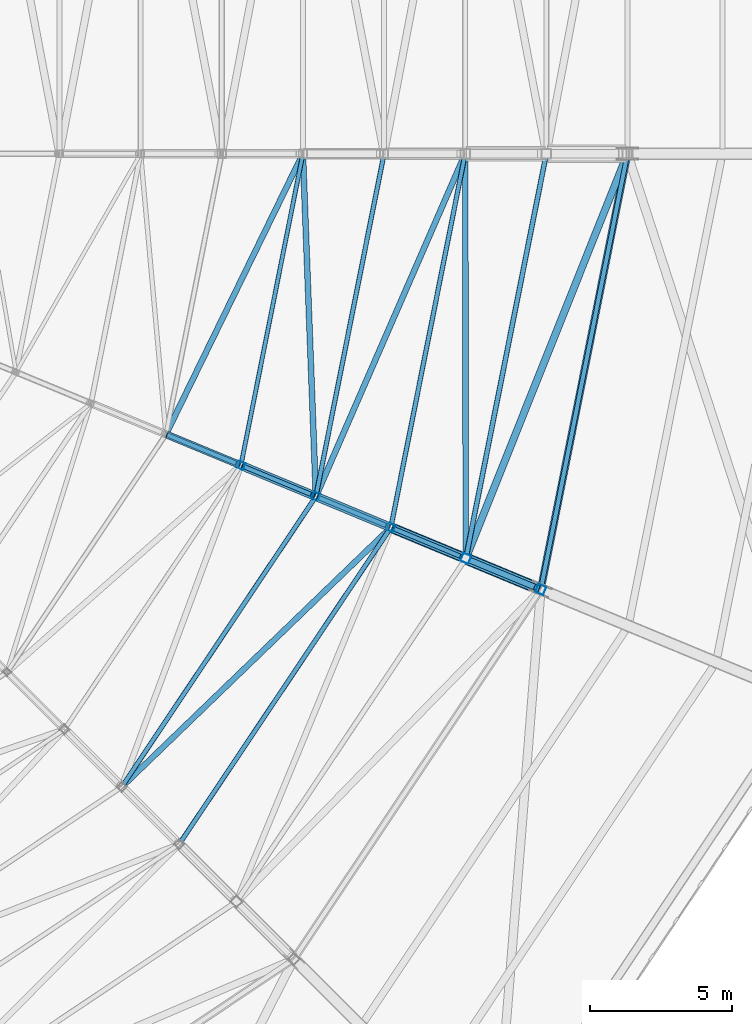
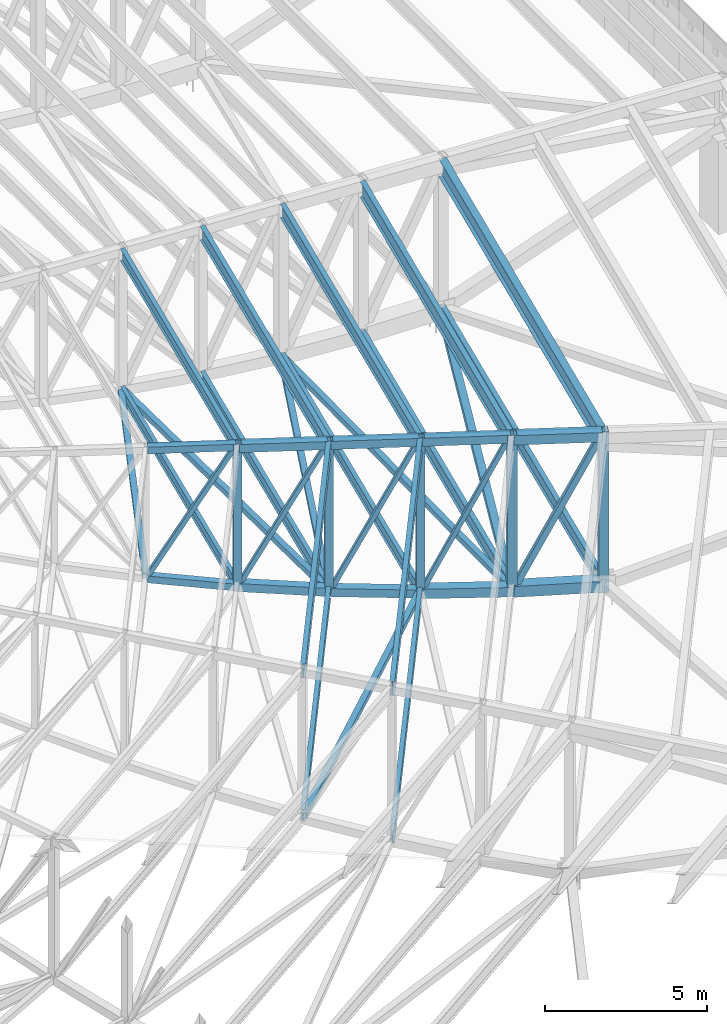
# One storey, part 49 of 278: 25 members, 15 beams.
"""IFC4 building model written with IfcOpenShell, lengths in metres."""

from ifc_helpers import new_model, si_unit, direction, frame, origin, origin_2d, place, context, subcontext, project, spatial, hollow_rectangle, i_section, extrude, material, material_profile, profile_set, type_object, element, save


model = new_model("IFC4")

# Units and contexts
model_context = context("Model", 3, precision=1e-05, world=origin(), true_north=direction((0.0, 1.0)))
body_context = subcontext(model_context, "Body", "Model", "MODEL_VIEW")
ifc_project = project(units=[si_unit("LENGTHUNIT", "METRE"), si_unit("AREAUNIT", "SQUARE_METRE"), si_unit("VOLUMEUNIT", "CUBIC_METRE"), si_unit("PLANEANGLEUNIT", "RADIAN"), si_unit("MASSUNIT", "GRAM", prefix="KILO")], contexts=[model_context])

# Site, building, storey
site_placement = place(None, origin())
site = spatial("IfcSite", under=ifc_project, at=site_placement, CompositionType="ELEMENT")
building_placement = place(site_placement, origin())
building = spatial("IfcBuilding", under=site, at=building_placement, Name="Ogive Plaza Stadium", CompositionType="ELEMENT")
storey_placement = place(building_placement, frame((0.0, 0.0, 29.0)))
storey = spatial("IfcBuildingStorey", under=building, at=storey_placement, Name="Roof", CompositionType="ELEMENT", Elevation=29.0)

# Members
ifc_material_1 = material(Name="Steel ASTM A500 Grade C", Category="steel")
ifc_material_profile_1 = material_profile(ifc_material_1, hollow_rectangle(XDim=0.25390625, YDim=0.25390625, WallThickness=0.0087890625, at=origin_2d()), Name="HSS10X10X3/8")
ifc_profile_set_1 = profile_set([ifc_material_profile_1], Name="Steel ASTM A500 Grade C")
member_type_1 = type_object("IfcMemberType", Name="Roof plan brace HSS10X10X3/8", PredefinedType="BRACE", material=ifc_profile_set_1)
member_1_placement = place(storey_placement, frame((68.3681640625, -66.6015625, 0.266845703125), z_axis=(0.370892564775, 0.92866632558, -0.004190600068), x_axis=(-0.928674479902, 0.370895821464, 0.0)))
element("IfcMember", 1, at=member_1_placement, inside=storey, type_object=member_type_1, Name="ROOF BRACE B08 10", PredefinedType="BRACE", context=body_context, shape_type="SweptSolid", body=[
    extrude(hollow_rectangle(XDim=0.25390625, YDim=0.25390625, WallThickness=0.0087890625, at=origin_2d()), origin(), (0.0, 0.0, 1.0), 14.97265625),
])
ifc_material_2 = material(Name="Steel ASTM A500 Grade C", Category="steel")
ifc_material_profile_2 = material_profile(ifc_material_2, hollow_rectangle(XDim=0.203125, YDim=0.203125, WallThickness=0.0087890625, at=origin_2d()), Name="HSS8X8X3/8")
ifc_profile_set_2 = profile_set([ifc_material_profile_2], Name="Steel ASTM A500 Grade C")
member_type_2 = type_object("IfcMemberType", Name="Roof plan brace HSS8X8X3/8", PredefinedType="BRACE", material=ifc_profile_set_2)
member_2_placement = place(storey_placement, frame((57.82421875, -62.283935546875, 1.729248046875), z_axis=(0.438102005766, 0.89751424852, -0.050346859366), x_axis=(-0.89865392799, 0.438658315443, 0.0)))
element("IfcMember", 2, at=member_2_placement, inside=storey, type_object=member_type_2, Name="ROOF BRACE B08 6", PredefinedType="BRACE", context=body_context, shape_type="SweptSolid", body=[
    extrude(hollow_rectangle(XDim=0.203125, YDim=0.203125, WallThickness=0.0087890625, at=origin_2d()), origin(), (0.0, 0.0, 1.0), 10.7119140625),
])
member_3_placement = place(storey_placement, frame((62.604736328125, -52.626220703125, 1.17578125), z_axis=(0.037835948464, -0.998586929303, -0.037317363644), x_axis=(0.999282965258, 0.03786232091, 0.0)))
element("IfcMember", 3, at=member_3_placement, inside=storey, type_object=member_type_2, Name="ROOF BRACE B08 7", PredefinedType="BRACE", context=body_context, shape_type="SweptSolid", body=[
    extrude(hollow_rectangle(XDim=0.203125, YDim=0.203125, WallThickness=0.0087890625, at=origin_2d()), origin(), (0.0, 0.0, 1.0), 11.76953125),
])
member_4_placement = place(storey_placement, frame((63.095458984375, -64.44482421875, 0.728515625), z_axis=(0.399342381412, 0.916524746659, -0.022539990446), x_axis=(-0.916757656145, 0.399443863264, 0.0)))
element("IfcMember", 4, at=member_4_placement, inside=storey, type_object=member_type_2, Name="ROOF BRACE B08 8", PredefinedType="BRACE", context=body_context, shape_type="SweptSolid", body=[
    extrude(hollow_rectangle(XDim=0.203125, YDim=0.203125, WallThickness=0.0087890625, at=origin_2d()), origin(), (0.0, 0.0, 1.0), 12.824462890625),
])
member_5_placement = place(storey_placement, frame((68.30029296875, -52.64794921875, 0.43310546875), z_axis=(0.001546491055, -0.999929483207, -0.01177442053), x_axis=(0.999998804016, 0.001546598266, 0.0)))
element("IfcMember", 5, at=member_5_placement, inside=storey, type_object=member_type_2, Name="ROOF BRACE B08 9", PredefinedType="BRACE", context=body_context, shape_type="SweptSolid", body=[
    extrude(hollow_rectangle(XDim=0.203125, YDim=0.203125, WallThickness=0.0087890625, at=origin_2d()), origin(), (0.0, 0.0, 1.0), 13.892333984375),
])
member_6_placement = place(storey_placement, frame((56.3095703125, -74.669921875, 0.728515625), z_axis=(0.719689863912, 0.693929788979, -0.02253769617), x_axis=(-0.694106096185, 0.719872715998, 0.0)))
element("IfcMember", 6, at=member_6_placement, inside=storey, type_object=member_type_2, Name="ROOF BRACE B09 8", PredefinedType="BRACE", context=body_context, shape_type="SweptSolid", body=[
    extrude(hollow_rectangle(XDim=0.203125, YDim=0.203125, WallThickness=0.0087890625, at=origin_2d()), origin(), (0.0, 0.0, 1.0), 12.8798828125),
])
ifc_material_3 = material(Name="Steel ASTM A992 Grade 50", Category="steel")
ifc_material_profile_3 = material_profile(ifc_material_3, i_section(OverallWidth=0.140380859375, OverallDepth=0.4033203125, WebThickness=0.007080078125, FlangeThickness=0.01123046875, at=origin_2d()), Name="W16X31")
ifc_profile_set_3 = profile_set([ifc_material_profile_3], Name="Steel ASTM A992 Grade 50")
member_type_3 = type_object("IfcMemberType", Name="Roof plan strut W16X31", PredefinedType="STRUT", material=ifc_profile_set_3)
member_7_placement = place(storey_placement, frame((62.57275390625, -52.63671875, 1.180419921875), z_axis=(-0.195087168164, -0.980785907738, 0.0), x_axis=(0.980785907738, -0.195087168164, 0.0)))
element("IfcMember", 7, at=member_7_placement, inside=storey, type_object=member_type_3, Name="ROOF STRUT B08 6", PredefinedType="STRUT", context=body_context, shape_type="SweptSolid", body=[
    extrude(i_section(OverallWidth=0.140380859375, OverallDepth=0.4033203125, WebThickness=0.007080078125, FlangeThickness=0.01123046875, at=origin_2d()), origin(), (0.0, 0.0, 1.0), 10.90625),
])
ifc_material_4 = material(Name="Steel ASTM A992 Grade 50", Category="steel")
ifc_material_profile_4 = material_profile(ifc_material_4, i_section(OverallWidth=0.15234375, OverallDepth=0.449462890625, WebThickness=0.007568359375, FlangeThickness=0.0107421875, at=origin_2d()), Name="W18X35")
ifc_profile_set_4 = profile_set([ifc_material_profile_4], Name="Steel ASTM A992 Grade 50")
member_type_4 = type_object("IfcMemberType", Name="Roof plan strut W18X35", PredefinedType="STRUT", material=ifc_profile_set_4)
member_8_placement = place(storey_placement, frame((65.422607421875, -52.637939453125, 0.730712890625), z_axis=(-0.195096207281, -0.980784109733, 0.0), x_axis=(0.980784109733, -0.195096207281, 0.0)))
element("IfcMember", 8, at=member_8_placement, inside=storey, type_object=member_type_4, Name="ROOF STRUT B08 7", PredefinedType="STRUT", context=body_context, shape_type="SweptSolid", body=[
    extrude(i_section(OverallWidth=0.15234375, OverallDepth=0.449462890625, WebThickness=0.007568359375, FlangeThickness=0.0107421875, at=origin_2d()), origin(), (0.0, 0.0, 1.0), 12.015869140625),
])
member_9_placement = place(storey_placement, frame((68.267578125, -52.663330078125, 0.434814453125), z_axis=(-0.195094759096, -0.980784397803, 0.0), x_axis=(0.980784397803, -0.195094759096, 0.0)))
element("IfcMember", 9, at=member_9_placement, inside=storey, type_object=member_type_4, Name="ROOF STRUT B08 8", PredefinedType="STRUT", context=body_context, shape_type="SweptSolid", body=[
    extrude(i_section(OverallWidth=0.15234375, OverallDepth=0.449462890625, WebThickness=0.007568359375, FlangeThickness=0.0107421875, at=origin_2d()), origin(), (0.0, 0.0, 1.0), 13.10205078125),
])
member_10_placement = place(storey_placement, frame((62.992431640625, -64.630615234375, 0.730712890625), z_axis=(-0.555574800687, -0.831466560266, 0.0), x_axis=(0.831466560266, -0.555574800687, 0.0)))
element("IfcMember", 10, at=member_10_placement, inside=storey, type_object=member_type_4, Name="ROOF STRUT B09 7", PredefinedType="STRUT", context=body_context, shape_type="SweptSolid", body=[
    extrude(i_section(OverallWidth=0.15234375, OverallDepth=0.449462890625, WebThickness=0.007568359375, FlangeThickness=0.0107421875, at=origin_2d()), origin(), (0.0, 0.0, 1.0), 12.0419921875),
])
member_11_placement = place(storey_placement, frame((65.62548828125, -65.721435546875, 0.434814453125), z_axis=(-0.555582209578, -0.831461609697, 0.0), x_axis=(0.831461609697, -0.555582209578, 0.0)))
element("IfcMember", 11, at=member_11_placement, inside=storey, type_object=member_type_4, Name="ROOF STRUT B09 8", PredefinedType="STRUT", context=body_context, shape_type="SweptSolid", body=[
    extrude(i_section(OverallWidth=0.15234375, OverallDepth=0.449462890625, WebThickness=0.007568359375, FlangeThickness=0.0107421875, at=origin_2d()), origin(), (0.0, 0.0, 1.0), 13.154052734375),
])
ifc_material_5 = material(Name="Steel ASTM A992 Grade 50", Category="steel")
ifc_material_profile_5 = material_profile(ifc_material_5, i_section(OverallWidth=0.1650390625, OverallDepth=0.524658203125, WebThickness=0.0087890625, FlangeThickness=0.011474609375, at=origin_2d()), Name="W21X44")
ifc_profile_set_5 = profile_set([ifc_material_profile_5], Name="Steel ASTM A992 Grade 50")
member_type_5 = type_object("IfcMemberType", Name="Roof plan strut W21X44", PredefinedType="STRUT", material=ifc_profile_set_5)
member_12_placement = place(storey_placement, frame((71.1171875, -52.66455078125, 0.267333984375), z_axis=(-0.195080090906, -0.980787315442, 0.0), x_axis=(0.980787315442, -0.195080090906, 0.0)))
element("IfcMember", 12, at=member_12_placement, inside=storey, type_object=member_type_5, Name="ROOF STRUT B08 9", PredefinedType="STRUT", context=body_context, shape_type="SweptSolid", body=[
    extrude(i_section(OverallWidth=0.1650390625, OverallDepth=0.524658203125, WebThickness=0.0087890625, FlangeThickness=0.011474609375, at=origin_2d()), origin(), (0.0, 0.0, 1.0), 14.185546875),
])
member_13_placement = place(storey_placement, frame((73.96728515625, -52.66455078125, 0.203125), z_axis=(-0.195087872799, -0.98078576758, 0.0), x_axis=(0.98078576758, -0.195087872799, 0.0)))
element("IfcMember", 13, at=member_13_placement, inside=storey, type_object=member_type_5, Name="ROOF STRUT B08 10", PredefinedType="STRUT", context=body_context, shape_type="SweptSolid", body=[
    extrude(i_section(OverallWidth=0.1650390625, OverallDepth=0.524658203125, WebThickness=0.0087890625, FlangeThickness=0.011474609375, at=origin_2d()), origin(), (0.0, 0.0, 1.0), 15.297607421875),
])
ifc_material_6 = material(Name="Steel ASTM A992 Grade 50", Category="steel")
ifc_material_profile_6 = material_profile(ifc_material_6, i_section(OverallWidth=0.15234375, OverallDepth=0.449462890625, WebThickness=0.007568359375, FlangeThickness=0.0107421875, at=origin_2d()), Name="W18X35")
ifc_profile_set_6 = profile_set([ifc_material_profile_6], Name="Steel ASTM A992 Grade 50")
member_type_6 = type_object("IfcMemberType", Name="Roof purlin W18X35", PredefinedType="PURLIN", material=ifc_profile_set_6)
member_14_placement = place(storey_placement, frame((62.572509765625, -52.637939453125, 6.34521484375), z_axis=(-0.195086933188, -0.980785954477, 0.0), x_axis=(0.980785954477, -0.195086933188, 0.0)))
element("IfcMember", 14, at=member_14_placement, inside=storey, type_object=member_type_6, Name="ROOF PURLIN B08 6", PredefinedType="PURLIN", context=body_context, shape_type="SweptSolid", body=[
    extrude(i_section(OverallWidth=0.15234375, OverallDepth=0.449462890625, WebThickness=0.007568359375, FlangeThickness=0.0107421875, at=origin_2d()), origin(), (0.0, 0.0, 1.0), 10.90380859375),
])
ifc_material_7 = material(Name="Steel ASTM A992 Grade 50", Category="steel")
ifc_material_profile_7 = material_profile(ifc_material_7, i_section(OverallWidth=0.1650390625, OverallDepth=0.524658203125, WebThickness=0.0087890625, FlangeThickness=0.011474609375, at=origin_2d()), Name="W21X44")
ifc_profile_set_7 = profile_set([ifc_material_profile_7], Name="Steel ASTM A992 Grade 50")
member_type_7 = type_object("IfcMemberType", Name="Roof purlin W21X44", PredefinedType="PURLIN", material=ifc_profile_set_7)
member_15_placement = place(storey_placement, frame((65.42236328125, -52.63916015625, 6.1650390625), z_axis=(-0.195095995879, -0.980784151785, 0.0), x_axis=(0.980784151785, -0.195095995879, 0.0)))
element("IfcMember", 15, at=member_15_placement, inside=storey, type_object=member_type_7, Name="ROOF PURLIN B08 7", PredefinedType="PURLIN", context=body_context, shape_type="SweptSolid", body=[
    extrude(i_section(OverallWidth=0.1650390625, OverallDepth=0.524658203125, WebThickness=0.0087890625, FlangeThickness=0.011474609375, at=origin_2d()), origin(), (0.0, 0.0, 1.0), 12.013427734375),
])
member_16_placement = place(storey_placement, frame((68.267333984375, -52.66455078125, 6.022705078125), z_axis=(-0.195094564949, -0.980784436422, 0.0), x_axis=(0.980784436422, -0.195094564949, 0.0)))
element("IfcMember", 16, at=member_16_placement, inside=storey, type_object=member_type_7, Name="ROOF PURLIN B08 8", PredefinedType="PURLIN", context=body_context, shape_type="SweptSolid", body=[
    extrude(i_section(OverallWidth=0.1650390625, OverallDepth=0.524658203125, WebThickness=0.0087890625, FlangeThickness=0.011474609375, at=origin_2d()), origin(), (0.0, 0.0, 1.0), 13.099609375),
])
member_17_placement = place(storey_placement, frame((62.99169921875, -64.6318359375, 6.1650390625), z_axis=(-0.555574992462, -0.831466432125, 0.0), x_axis=(0.831466432125, -0.555574992462, 0.0)))
element("IfcMember", 17, at=member_17_placement, inside=storey, type_object=member_type_7, Name="ROOF PURLIN B09 7", PredefinedType="PURLIN", context=body_context, shape_type="SweptSolid", body=[
    extrude(i_section(OverallWidth=0.1650390625, OverallDepth=0.524658203125, WebThickness=0.0087890625, FlangeThickness=0.011474609375, at=origin_2d()), origin(), (0.0, 0.0, 1.0), 12.039306640625),
])
member_18_placement = place(storey_placement, frame((65.624755859375, -65.722412109375, 6.022705078125), z_axis=(-0.555573811188, -0.831467221436, 0.0), x_axis=(0.831467221436, -0.555573811188, 0.0)))
element("IfcMember", 18, at=member_18_placement, inside=storey, type_object=member_type_7, Name="ROOF PURLIN B09 8", PredefinedType="PURLIN", context=body_context, shape_type="SweptSolid", body=[
    extrude(i_section(OverallWidth=0.1650390625, OverallDepth=0.524658203125, WebThickness=0.0087890625, FlangeThickness=0.011474609375, at=origin_2d()), origin(), (0.0, 0.0, 1.0), 13.151611328125),
])
ifc_material_8 = material(Name="Steel ASTM A992 Grade 50", Category="steel")
ifc_material_profile_8 = material_profile(ifc_material_8, i_section(OverallWidth=0.177978515625, OverallDepth=0.5986328125, WebThickness=0.010009765625, FlangeThickness=0.012939453125, at=origin_2d()), Name="W24X55")
ifc_profile_set_8 = profile_set([ifc_material_profile_8], Name="Steel ASTM A992 Grade 50")
member_type_8 = type_object("IfcMemberType", Name="Roof purlin W24X55", PredefinedType="PURLIN", material=ifc_profile_set_8)
member_19_placement = place(storey_placement, frame((71.116943359375, -52.665771484375, 5.84326171875), z_axis=(-0.195079909016, -0.98078735162, 0.0), x_axis=(0.98078735162, -0.195079909016, 0.0)))
element("IfcMember", 19, at=member_19_placement, inside=storey, type_object=member_type_8, Name="ROOF PURLIN B08 9", PredefinedType="PURLIN", context=body_context, shape_type="SweptSolid", body=[
    extrude(i_section(OverallWidth=0.177978515625, OverallDepth=0.5986328125, WebThickness=0.010009765625, FlangeThickness=0.012939453125, at=origin_2d()), origin(), (0.0, 0.0, 1.0), 14.18310546875),
])
ifc_material_9 = material(Name="Steel ASTM A992 Grade 50", Category="steel")
ifc_material_profile_9 = material_profile(ifc_material_9, i_section(OverallWidth=0.2529296875, OverallDepth=0.678466796875, WebThickness=0.01171875, FlangeThickness=0.016357421875, at=origin_2d()), Name="W27X84")
ifc_profile_set_9 = profile_set([ifc_material_profile_9], Name="Steel ASTM A992 Grade 50")
member_type_9 = type_object("IfcMemberType", Name="Roof purlin W27X84", PredefinedType="PURLIN", material=ifc_profile_set_9)
member_20_placement = place(storey_placement, frame((73.965576171875, -52.673095703125, 5.660888671875), z_axis=(-0.195086699859, -0.980786000888, 0.0), x_axis=(0.980786000888, -0.195086699859, 0.0)))
element("IfcMember", 20, at=member_20_placement, inside=storey, type_object=member_type_9, Name="ROOF PURLIN B08 10", PredefinedType="PURLIN", context=body_context, shape_type="SweptSolid", body=[
    extrude(i_section(OverallWidth=0.2529296875, OverallDepth=0.678466796875, WebThickness=0.01171875, FlangeThickness=0.016357421875, at=origin_2d()), origin(), (0.0, 0.0, 1.0), 15.2802734375),
])

# Beams
ifc_material_10 = material(Name="Steel ASTM A500 Grade C", Category="steel")
ifc_material_profile_10 = material_profile(ifc_material_10, hollow_rectangle(XDim=0.25390625, YDim=0.25390625, WallThickness=0.01171875, at=origin_2d()), Name="HSS10X10X1/2")
ifc_profile_set_10 = profile_set([ifc_material_profile_10], Name="Steel ASTM A500 Grade C")
beam_type_1 = type_object("IfcBeamType", Name="Roof truss bottom chord HSS10X10X1/2", PredefinedType="BEAM", material=ifc_profile_set_10)
beam_1_placement = place(storey_placement, frame((57.833251953125, -62.3720703125, 1.726318359375), z_axis=(0.905437709043, -0.375020513968, -0.198852128843), x_axis=(0.382662472935, 0.923888213913, 0.0)))
element("IfcBeam", 21, at=beam_1_placement, inside=storey, type_object=beam_type_1, Name="ROOF TRUSS T09 BOTTOM CHORD 6", PredefinedType="BEAM", context=body_context, shape_type="SweptSolid", body=[
    extrude(hollow_rectangle(XDim=0.25390625, YDim=0.25390625, WallThickness=0.01171875, at=origin_2d()), origin(), (0.0, 0.0, 1.0), 2.80908203125),
])
ifc_material_11 = material(Name="Steel ASTM A500 Grade C", Category="steel")
ifc_material_profile_11 = material_profile(ifc_material_11, hollow_rectangle(XDim=0.3046875, YDim=0.3046875, WallThickness=0.0146484375, at=origin_2d()), Name="HSS12X12X5/8")
ifc_profile_set_11 = profile_set([ifc_material_profile_11], Name="Steel ASTM A500 Grade C")
beam_type_2 = type_object("IfcBeamType", Name="Roof truss bottom chord HSS12X12X5/8", PredefinedType="BEAM", material=ifc_profile_set_11)
beam_2_placement = place(storey_placement, frame((60.46923828125, -63.4638671875, 1.17431640625), z_axis=(0.912570809119, -0.378060038258, -0.15583685641), x_axis=(0.382735997737, 0.923857757469, 0.0)))
element("IfcBeam", 22, at=beam_2_placement, inside=storey, type_object=beam_type_2, Name="ROOF TRUSS T09 BOTTOM CHORD 7", PredefinedType="BEAM", context=body_context, shape_type="SweptSolid", body=[
    extrude(hollow_rectangle(XDim=0.3046875, YDim=0.3046875, WallThickness=0.0146484375, at=origin_2d()), origin(), (0.0, 0.0, 1.0), 2.783935546875),
])
beam_3_placement = place(storey_placement, frame((63.102294921875, -64.554443359375, 0.72607421875), z_axis=(0.918040635639, -0.380326079208, -0.112042245557), x_axis=(0.382735997737, 0.923857757469, 0.0)))
element("IfcBeam", 23, at=beam_3_placement, inside=storey, type_object=beam_type_2, Name="ROOF TRUSS T09 BOTTOM CHORD 8", PredefinedType="BEAM", context=body_context, shape_type="SweptSolid", body=[
    extrude(hollow_rectangle(XDim=0.3046875, YDim=0.3046875, WallThickness=0.0146484375, at=origin_2d()), origin(), (0.0, 0.0, 1.0), 2.767333984375),
])
ifc_material_12 = material(Name="Steel ASTM A500 Grade C", Category="steel")
ifc_material_profile_12 = material_profile(ifc_material_12, hollow_rectangle(XDim=0.355712890625, YDim=0.355712890625, WallThickness=0.0146484375, at=origin_2d()), Name="HSS14X14X5/8")
ifc_profile_set_12 = profile_set([ifc_material_profile_12], Name="Steel ASTM A500 Grade C")
beam_type_3 = type_object("IfcBeamType", Name="Roof truss bottom chord HSS14X14X5/8", PredefinedType="BEAM", material=ifc_profile_set_12)
beam_4_placement = place(storey_placement, frame((65.7353515625, -65.645263671875, 0.431884765625), z_axis=(0.92178205255, -0.381787492455, -0.067499320012), x_axis=(0.382660217904, 0.923889147914, 0.0)))
element("IfcBeam", 24, at=beam_4_placement, inside=storey, type_object=beam_type_3, Name="ROOF TRUSS T09 BOTTOM CHORD 9", PredefinedType="BEAM", context=body_context, shape_type="SweptSolid", body=[
    extrude(hollow_rectangle(XDim=0.355712890625, YDim=0.355712890625, WallThickness=0.0146484375, at=origin_2d()), origin(), (0.0, 0.0, 1.0), 2.756103515625),
])
ifc_material_13 = material(Name="Steel ASTM A500 Grade C", Category="steel")
ifc_material_profile_13 = material_profile(ifc_material_13, hollow_rectangle(XDim=0.406494140625, YDim=0.406494140625, WallThickness=0.0146484375, at=origin_2d()), Name="HSS16X16X5/8")
ifc_profile_set_13 = profile_set([ifc_material_profile_13], Name="Steel ASTM A500 Grade C")
beam_type_4 = type_object("IfcBeamType", Name="Roof truss bottom chord HSS16X16X5/8", PredefinedType="BEAM", material=ifc_profile_set_13)
beam_5_placement = place(storey_placement, frame((68.368408203125, -66.73583984375, 0.266357421875), z_axis=(0.923654312396, -0.382562952761, -0.022545473318), x_axis=(0.382660217904, 0.923889147914, 0.0)))
element("IfcBeam", 25, at=beam_5_placement, inside=storey, type_object=beam_type_4, Name="ROOF TRUSS T09 BOTTOM CHORD 10", PredefinedType="BEAM", context=body_context, shape_type="SweptSolid", body=[
    extrude(hollow_rectangle(XDim=0.406494140625, YDim=0.406494140625, WallThickness=0.0146484375, at=origin_2d()), origin(), (0.0, 0.0, 1.0), 2.75048828125),
])

# Members
ifc_material_14 = material(Name="Steel ASTM A500 Grade C", Category="steel")
ifc_material_profile_14 = material_profile(ifc_material_14, hollow_rectangle(XDim=0.15234375, YDim=0.15234375, WallThickness=0.0087890625, at=origin_2d()), Name="HSS6X6X3/8")
ifc_profile_set_14 = profile_set([ifc_material_profile_14], Name="Steel ASTM A500 Grade C")
member_type_10 = type_object("IfcMemberType", Name="Roof truss diagonal HSS6X6X3/8", PredefinedType="BRACE", material=ifc_profile_set_14)
member_21_placement = place(storey_placement, frame((57.8837890625, -62.39306640625, 1.8603515625), z_axis=(0.468491524227, -0.194055612203, 0.861892169067), x_axis=(0.382683548526, 0.923879484396, 0.0)))
element("IfcMember", 26, at=member_21_placement, inside=storey, type_object=member_type_10, Name="ROOF TRUSS T09 DIAGONAL 6", PredefinedType="BRACE", context=body_context, shape_type="SweptSolid", body=[
    extrude(hollow_rectangle(XDim=0.15234375, YDim=0.15234375, WallThickness=0.0087890625, at=origin_2d()), origin(), (0.0, 0.0, 1.0), 5.16943359375),
])
member_22_placement = place(storey_placement, frame((60.540283203125, -63.493408203125, 1.332763671875), z_axis=(0.440218602007, -0.18233402805, 0.879182509302), x_axis=(0.382664645806, 0.923887313935, 0.0)))
element("IfcMember", 27, at=member_22_placement, inside=storey, type_object=member_type_10, Name="ROOF TRUSS T09 DIAGONAL 7", PredefinedType="BRACE", context=body_context, shape_type="SweptSolid", body=[
    extrude(hollow_rectangle(XDim=0.15234375, YDim=0.15234375, WallThickness=0.0087890625, at=origin_2d()), origin(), (0.0, 0.0, 1.0), 5.4482421875),
])
member_23_placement = place(storey_placement, frame((63.17333984375, -64.583984375, 0.883056640625), z_axis=(0.419293904541, -0.17366723306, 0.891084908287), x_axis=(0.382664645806, 0.923887313935, 0.0)))
element("IfcMember", 28, at=member_23_placement, inside=storey, type_object=member_type_10, Name="ROOF TRUSS T09 DIAGONAL 8", PredefinedType="BRACE", context=body_context, shape_type="SweptSolid", body=[
    extrude(hollow_rectangle(XDim=0.15234375, YDim=0.15234375, WallThickness=0.0087890625, at=origin_2d()), origin(), (0.0, 0.0, 1.0), 5.72021484375),
])
member_24_placement = place(storey_placement, frame((65.806396484375, -65.674560546875, 0.612548828125), z_axis=(0.407847472246, -0.168958194197, 0.897281208984), x_axis=(0.382726432205, 0.923861720222, 0.0)))
element("IfcMember", 29, at=member_24_placement, inside=storey, type_object=member_type_10, Name="ROOF TRUSS T09 DIAGONAL 9", PredefinedType="BRACE", context=body_context, shape_type="SweptSolid", body=[
    extrude(hollow_rectangle(XDim=0.15234375, YDim=0.15234375, WallThickness=0.0087890625, at=origin_2d()), origin(), (0.0, 0.0, 1.0), 5.8232421875),
])
ifc_material_15 = material(Name="Steel ASTM A500 Grade C", Category="steel")
ifc_material_profile_15 = material_profile(ifc_material_15, hollow_rectangle(XDim=0.203125, YDim=0.203125, WallThickness=0.0087890625, at=origin_2d()), Name="HSS8X8X3/8")
ifc_profile_set_15 = profile_set([ifc_material_profile_15], Name="Steel ASTM A500 Grade C")
member_type_11 = type_object("IfcMemberType", Name="Roof truss diagonal HSS8X8X3/8", PredefinedType="BRACE", material=ifc_profile_set_15)
member_25_placement = place(storey_placement, frame((68.462890625, -66.77490234375, 0.470703125), z_axis=(0.407844983819, -0.168947413355, 0.897284370027), x_axis=(0.382707581205, 0.923869529365, 0.0)))
element("IfcMember", 30, at=member_25_placement, inside=storey, type_object=member_type_11, Name="ROOF TRUSS T09 DIAGONAL 10", PredefinedType="BRACE", context=body_context, shape_type="SweptSolid", body=[
    extrude(hollow_rectangle(XDim=0.203125, YDim=0.203125, WallThickness=0.0087890625, at=origin_2d()), origin(), (0.0, 0.0, 1.0), 5.765869140625),
])

# Beams
ifc_material_16 = material(Name="Steel ASTM A500 Grade C", Category="steel")
ifc_material_profile_16 = material_profile(ifc_material_16, hollow_rectangle(XDim=0.25390625, YDim=0.25390625, WallThickness=0.01171875, at=origin_2d()), Name="HSS10X10X1/2")
ifc_profile_set_16 = profile_set([ifc_material_profile_16], Name="Steel ASTM A500 Grade C")
beam_type_5 = type_object("IfcBeamType", Name="Roof truss post HSS10X10X1/2", PredefinedType="BEAM", material=ifc_profile_set_16)
beam_6_placement = place(storey_placement, frame((60.4228515625, -63.44482421875, 1.028076171875), z_axis=(0.0, 0.0, 1.0), x_axis=(0.382683432365, 0.923879532511, 0.0)))
element("IfcBeam", 31, at=beam_6_placement, inside=storey, type_object=beam_type_5, Name="ROOF TRUSS T09 POST 7", PredefinedType="BEAM", context=body_context, shape_type="SweptSolid", body=[
    extrude(hollow_rectangle(XDim=0.25390625, YDim=0.25390625, WallThickness=0.01171875, at=origin_2d()), origin(), (0.0, 0.0, 1.0), 5.5419921875),
])
beam_7_placement = place(storey_placement, frame((63.055908203125, -64.535400390625, 0.578369140625), z_axis=(0.0, 0.0, 1.0), x_axis=(0.382683432365, 0.923879532511, 0.0)))
element("IfcBeam", 32, at=beam_7_placement, inside=storey, type_object=beam_type_5, Name="ROOF TRUSS T09 POST 8", PredefinedType="BEAM", context=body_context, shape_type="SweptSolid", body=[
    extrude(hollow_rectangle(XDim=0.25390625, YDim=0.25390625, WallThickness=0.01171875, at=origin_2d()), origin(), (0.0, 0.0, 1.0), 5.84912109375),
])
beam_8_placement = place(storey_placement, frame((65.68896484375, -65.6259765625, 0.257080078125), z_axis=(0.0, 0.0, 1.0), x_axis=(0.382683432365, 0.923879532511, 0.0)))
element("IfcBeam", 33, at=beam_8_placement, inside=storey, type_object=beam_type_5, Name="ROOF TRUSS T09 POST 9", PredefinedType="BEAM", context=body_context, shape_type="SweptSolid", body=[
    extrude(hollow_rectangle(XDim=0.25390625, YDim=0.25390625, WallThickness=0.01171875, at=origin_2d()), origin(), (0.0, 0.0, 1.0), 6.02783203125),
])
ifc_material_17 = material(Name="Steel ASTM A500 Grade C", Category="steel")
ifc_material_profile_17 = material_profile(ifc_material_17, hollow_rectangle(XDim=0.3046875, YDim=0.3046875, WallThickness=0.01171875, at=origin_2d()), Name="HSS12X12X1/2")
ifc_profile_set_17 = profile_set([ifc_material_profile_17], Name="Steel ASTM A500 Grade C")
beam_type_6 = type_object("IfcBeamType", Name="Roof truss post HSS12X12X1/2", PredefinedType="BEAM", material=ifc_profile_set_17)
beam_9_placement = place(storey_placement, frame((68.322021484375, -66.716796875, 0.064208984375), z_axis=(0.0, 0.0, 1.0), x_axis=(0.382683432365, 0.923879532511, 0.0)))
element("IfcBeam", 34, at=beam_9_placement, inside=storey, type_object=beam_type_6, Name="ROOF TRUSS T09 POST 10", PredefinedType="BEAM", context=body_context, shape_type="SweptSolid", body=[
    extrude(hollow_rectangle(XDim=0.3046875, YDim=0.3046875, WallThickness=0.01171875, at=origin_2d()), origin(), (0.0, 0.0, 1.0), 6.078369140625),
])
beam_10_placement = place(storey_placement, frame((70.955078125, -67.807373046875, -0.06005859375), z_axis=(0.0, 0.0, 1.0), x_axis=(0.382683432365, 0.923879532511, 0.0)))
element("IfcBeam", 35, at=beam_10_placement, inside=storey, type_object=beam_type_6, Name="ROOF TRUSS T09 POST 11", PredefinedType="BEAM", context=body_context, shape_type="SweptSolid", body=[
    extrude(hollow_rectangle(XDim=0.3046875, YDim=0.3046875, WallThickness=0.01171875, at=origin_2d()), origin(), (0.0, 0.0, 1.0), 6.06005859375),
])
ifc_material_18 = material(Name="Steel ASTM A500 Grade C", Category="steel")
ifc_material_profile_18 = material_profile(ifc_material_18, hollow_rectangle(XDim=0.25390625, YDim=0.25390625, WallThickness=0.0087890625, at=origin_2d()), Name="HSS10X10X3/8")
ifc_profile_set_18 = profile_set([ifc_material_profile_18], Name="Steel ASTM A500 Grade C")
beam_type_7 = type_object("IfcBeamType", Name="Roof truss top chord HSS10X10X3/8", PredefinedType="BEAM", material=ifc_profile_set_18)
beam_11_placement = place(storey_placement, frame((57.836181640625, -62.373291015625, 6.582763671875), z_axis=(0.922737112453, -0.382183063105, -0.049923216828), x_axis=(0.382660217904, 0.923889147914, 0.0)))
element("IfcBeam", 36, at=beam_11_placement, inside=storey, type_object=beam_type_7, Name="ROOF TRUSS T09 TOP CHORD 6", PredefinedType="BEAM", context=body_context, shape_type="SweptSolid", body=[
    extrude(hollow_rectangle(XDim=0.25390625, YDim=0.25390625, WallThickness=0.0087890625, at=origin_2d()), origin(), (0.0, 0.0, 1.0), 2.753173828125),
])
ifc_material_19 = material(Name="Steel ASTM A500 Grade C", Category="steel")
ifc_material_profile_19 = material_profile(ifc_material_19, hollow_rectangle(XDim=0.3046875, YDim=0.3046875, WallThickness=0.01171875, at=origin_2d()), Name="HSS12X12X1/2")
ifc_profile_set_19 = profile_set([ifc_material_profile_19], Name="Steel ASTM A500 Grade C")
beam_type_8 = type_object("IfcBeamType", Name="Roof truss top chord HSS12X12X1/2", PredefinedType="BEAM", material=ifc_profile_set_19)
beam_12_placement = place(storey_placement, frame((65.7353515625, -65.645263671875, 6.1298828125), z_axis=(0.922737112453, -0.382183063105, -0.049923216828), x_axis=(0.382660217904, 0.923889147914, 0.0)))
element("IfcBeam", 37, at=beam_12_placement, inside=storey, type_object=beam_type_8, Name="ROOF TRUSS T09 TOP CHORD 9", PredefinedType="BEAM", context=body_context, shape_type="SweptSolid", body=[
    extrude(hollow_rectangle(XDim=0.3046875, YDim=0.3046875, WallThickness=0.01171875, at=origin_2d()), origin(), (0.0, 0.0, 1.0), 2.753173828125),
])
ifc_material_20 = material(Name="Steel ASTM A500 Grade C", Category="steel")
ifc_material_profile_20 = material_profile(ifc_material_20, hollow_rectangle(XDim=0.3046875, YDim=0.3046875, WallThickness=0.0087890625, at=origin_2d()), Name="HSS12X12X3/8")
ifc_profile_set_20 = profile_set([ifc_material_profile_20], Name="Steel ASTM A500 Grade C")
beam_type_9 = type_object("IfcBeamType", Name="Roof truss top chord HSS12X12X3/8", PredefinedType="BEAM", material=ifc_profile_set_20)
for number, where, z_axis, x_axis, name in (
    (38, (60.46923828125, -63.4638671875, 6.414794921875), (0.922705839284, -0.382258780814, -0.049921524843), (0.382735997737, 0.923857757469, 0.0), "ROOF TRUSS T09 TOP CHORD 7"),
    (39, (63.102294921875, -64.554443359375, 6.2724609375), (0.922705839284, -0.382258780814, -0.049921524843), (0.382735997737, 0.923857757469, 0.0), "ROOF TRUSS T09 TOP CHORD 8"),
):
    element("IfcBeam", number, at=place(storey_placement, frame(where, z_axis=z_axis, x_axis=x_axis)), inside=storey, type_object=beam_type_9, Name=name, PredefinedType="BEAM", context=body_context, shape_type="SweptSolid", body=[
        extrude(hollow_rectangle(XDim=0.3046875, YDim=0.3046875, WallThickness=0.0087890625, at=origin_2d()), origin(), (0.0, 0.0, 1.0), 2.75341796875),
    ])
ifc_material_21 = material(Name="Steel ASTM A500 Grade C", Category="steel")
ifc_material_profile_21 = material_profile(ifc_material_21, hollow_rectangle(XDim=0.355712890625, YDim=0.355712890625, WallThickness=0.01171875, at=origin_2d()), Name="HSS14X14X1/2")
ifc_profile_set_21 = profile_set([ifc_material_profile_21], Name="Steel ASTM A500 Grade C")
beam_type_10 = type_object("IfcBeamType", Name="Roof truss top chord HSS14X14X1/2", PredefinedType="BEAM", material=ifc_profile_set_21)
beam_13_placement = place(storey_placement, frame((68.368408203125, -66.73583984375, 5.9619140625), z_axis=(0.922737112453, -0.382183063105, -0.049923216828), x_axis=(0.382660217904, 0.923889147914, 0.0)))
element("IfcBeam", 40, at=beam_13_placement, inside=storey, type_object=beam_type_10, Name="ROOF TRUSS T09 TOP CHORD 10", PredefinedType="BEAM", context=body_context, shape_type="SweptSolid", body=[
    extrude(hollow_rectangle(XDim=0.355712890625, YDim=0.355712890625, WallThickness=0.01171875, at=origin_2d()), origin(), (0.0, 0.0, 1.0), 2.753173828125),
])

save(model, "model.ifc")
